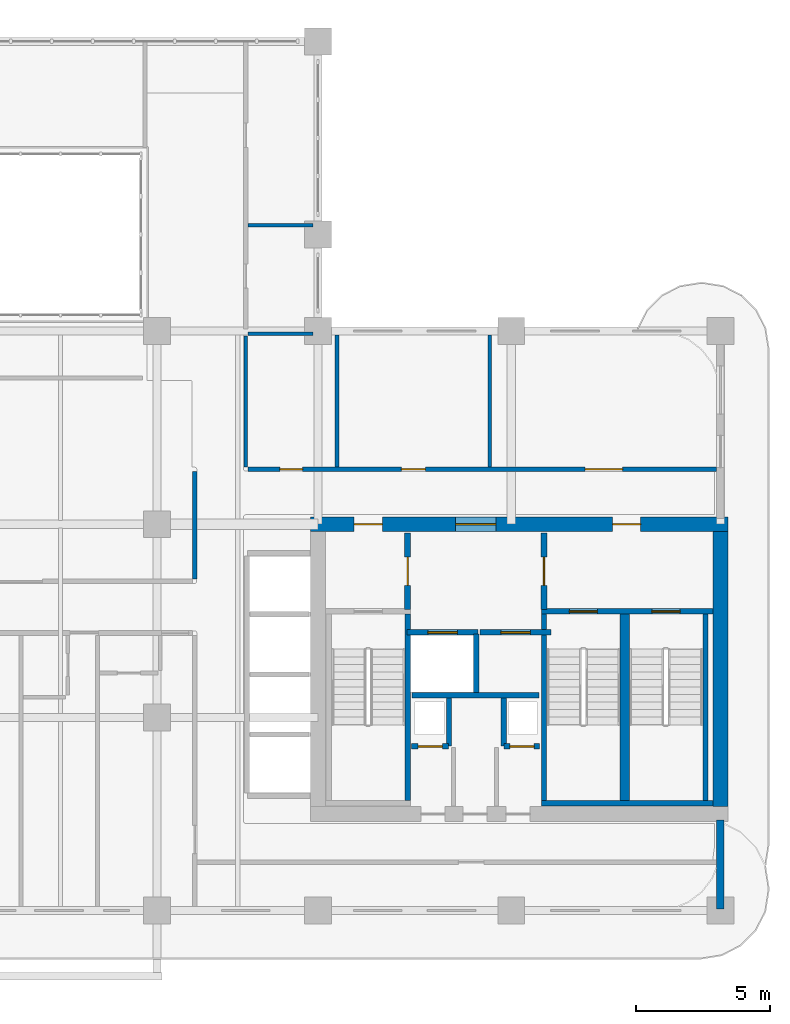
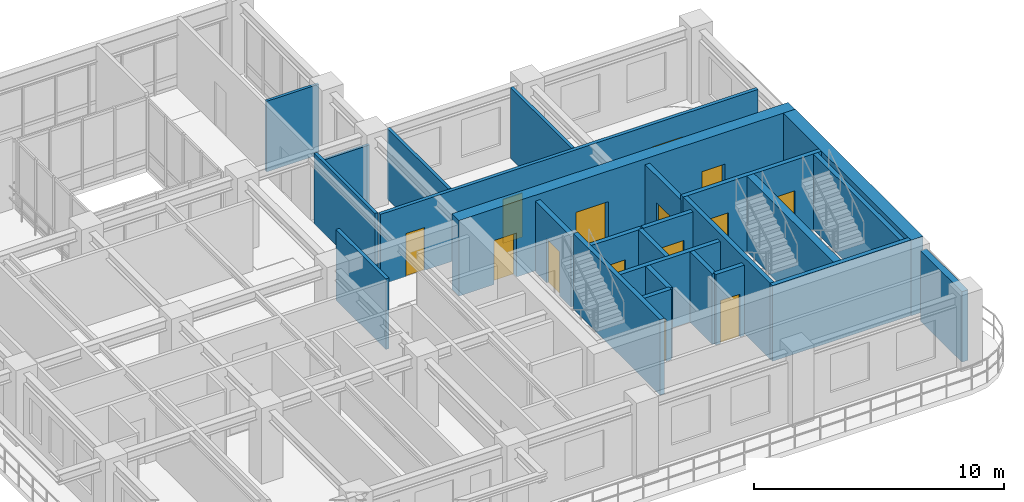
# One storey, part 13 of 20: 26 walls, 14 doors, 14 openings.
"""IFC4 building model written with IfcOpenShell, lengths in metres."""

from ifc_helpers import new_model, si_unit, derived_unit, direction, frame, frame_2d, origin, place, context, subcontext, project, spatial, rectangle, extrude, source, transform, mapped, material, layer, layer_set, type_object, type_shapes, element, fill, save


model = new_model("IFC4")

# Units and contexts
model_context = context("Model", 3, precision=1e-05, world=origin(), true_north=direction((0.0, 1.0)))
body_context = subcontext(model_context, "Body", "Model", "MODEL_VIEW")
ifc_project = project(units=[si_unit("LENGTHUNIT", "METRE"), si_unit("AREAUNIT", "SQUARE_METRE"), si_unit("VOLUMEUNIT", "CUBIC_METRE"), si_unit("PLANEANGLEUNIT", "RADIAN"), si_unit("MASSUNIT", "GRAM", prefix="KILO"), si_unit("THERMODYNAMICTEMPERATUREUNIT", "KELVIN"), si_unit("POWERUNIT", "WATT"), derived_unit("THERMALTRANSMITTANCEUNIT", [(si_unit("POWERUNIT", "WATT"), 1), (si_unit("AREAUNIT", "SQUARE_METRE"), -1), (si_unit("THERMODYNAMICTEMPERATUREUNIT", "KELVIN"), -1)])], contexts=[model_context])

# Site, building, storey
site_placement = place(None, origin())
site = spatial("IfcSite", under=ifc_project, at=site_placement, CompositionType="ELEMENT")
building_placement = place(site_placement, origin())
building = spatial("IfcBuilding", under=site, at=building_placement, Name="Zahravan Archway Hotel and Residences", CompositionType="ELEMENT")
storey_placement = place(building_placement, frame((0.0, 0.0, 126.60009765625)))
storey = spatial("IfcBuildingStorey", under=building, at=storey_placement, Name="L31", CompositionType="ELEMENT", Elevation=126.60009765625)

# Wall, openings, doors
ifc_material_1 = material(Name="Concrete C70/85", Category="concrete")
ifc_layer_1 = layer(ifc_material_1, 0.550048828125, Name="Concrete C70/85", Category="concrete")
ifc_layer_set_1 = layer_set([ifc_layer_1], Name="Concrete C70/85")
wall_type_1 = type_object("IfcWallType", Name="CW-CORE-550", PredefinedType="SHEAR", material=ifc_layer_set_1)
wall_1_placement = place(storey_placement, frame((34.52490234375, 14.39990234375, 0.0), z_axis=(0.0, 0.0, 1.0), x_axis=(1.0, 0.0, 0.0)))
wall_1 = element("IfcWall", 1, at=wall_1_placement, inside=storey, type_object=wall_type_1, Name="L31 Core A Shear N Wall 550 mm", PredefinedType="SHEAR", context=body_context, shape_type="SweptSolid", body=[
    extrude(rectangle(XDim=15.550048828125, YDim=0.550048828125, at=frame_2d((7.77490234375, 0.0))), origin(), (0.0, 0.0, 1.0), 3.699951171875),
])
opening_1_placement = place(wall_1_placement, frame((5.405029296875, 0.0, 0.0)))
opening_1 = element("IfcOpeningElement", 2, at=opening_1_placement, cuts=wall_1, Name="Opening FD-L1", PredefinedType="OPENING", context=body_context, shape_type="SweptSolid", body=[
    extrude(rectangle(XDim=1.5, YDim=2.199951171875, at=frame_2d((0.75, 1.10009765625))), frame((0.0, 0.28515625, 0.0), z_axis=(0.0, -1.0, 0.0), x_axis=(1.0, 0.0, 0.0)), (0.0, 0.0, 1.0), 0.570068359375),
])
opening_2_placement = place(wall_1_placement, frame((1.6201171875, 0.0, 0.0)))
opening_2 = element("IfcOpeningElement", 3, at=opening_2_placement, cuts=wall_1, Name="Opening FD-L2", PredefinedType="OPENING", context=body_context, shape_type="SweptSolid", body=[
    extrude(rectangle(XDim=1.050048828125, YDim=2.14990234375, at=frame_2d((0.52490234375, 1.074951171875))), frame((0.0, 0.28515625, 0.0), z_axis=(0.0, -1.0, 0.0), x_axis=(1.0, 0.0, 0.0)), (0.0, 0.0, 1.0), 0.570068359375),
])
opening_3_placement = place(wall_1_placement, frame((11.25, 0.0, 0.0)))
opening_3 = element("IfcOpeningElement", 4, at=opening_3_placement, cuts=wall_1, Name="Opening FD-L2", PredefinedType="OPENING", context=body_context, shape_type="SweptSolid", body=[
    extrude(rectangle(XDim=1.050048828125, YDim=2.14990234375, at=frame_2d((0.52490234375, 1.074951171875))), frame((0.0, 0.28515625, 0.0), z_axis=(0.0, -1.0, 0.0), x_axis=(1.0, 0.0, 0.0)), (0.0, 0.0, 1.0), 0.570068359375),
])
ifc_material_2 = material(Name="Fire-Rated Painted Steel", Category="steel")
door_type_1 = type_object("IfcDoorType", Name="FD-LOBBY-1100", OperationType="NOTDEFINED", PredefinedType="DOOR", material=ifc_material_2)
shared_shape_1 = source(origin(), body_context, "Body", "SweptSolid", [
    extrude(rectangle(XDim=1.050048828125, YDim=2.14990234375, at=frame_2d((0.52490234375, 1.074951171875))), frame((0.0, 0.02490234375, 0.0), z_axis=(0.0, -1.0, 0.0), x_axis=(1.0, 0.0, 0.0)), (0.0, 0.0, 1.0), 0.050048828125),
])
type_shapes(door_type_1, [shared_shape_1])
door_1_placement = place(opening_2_placement, origin())
door_1 = element("IfcDoor", 5, at=door_1_placement, inside=storey, type_object=door_type_1, Name="L31 Core A West Stair Lobby Door", OperationType="SINGLE_SWING_RIGHT", OverallHeight=2.14990234375, OverallWidth=1.050048828125, PredefinedType="DOOR", context=body_context, shape_type="MappedRepresentation", body=[
    mapped(shared_shape_1, transform((0.0, 0.0, 0.0), scale=1.0)),
])
fill(opening_2, door_1)
door_2_placement = place(opening_3_placement, origin())
door_2 = element("IfcDoor", 6, at=door_2_placement, inside=storey, type_object=door_type_1, Name="L31 Core A East Stair Lobby Door", OperationType="SINGLE_SWING_LEFT", OverallHeight=2.14990234375, OverallWidth=1.050048828125, PredefinedType="DOOR", context=body_context, shape_type="MappedRepresentation", body=[
    mapped(shared_shape_1, transform((0.0, 0.0, 0.0), scale=1.0)),
])
fill(opening_3, door_2)
door_type_2 = type_object("IfcDoorType", Name="FD-LOBBY-1500", OperationType="DOUBLE_DOOR_SINGLE_SWING", PredefinedType="DOOR", material=ifc_material_2)
shared_shape_2 = source(origin(), body_context, "Body", "SweptSolid", [
    extrude(rectangle(XDim=1.5, YDim=2.199951171875, at=frame_2d((0.75, 1.10009765625))), frame((0.0, 0.02490234375, 0.0), z_axis=(0.0, -1.0, 0.0), x_axis=(1.0, 0.0, 0.0)), (0.0, 0.0, 1.0), 0.050048828125),
])
type_shapes(door_type_2, [shared_shape_2])
door_3_placement = place(opening_1_placement, origin())
door_3 = element("IfcDoor", 7, at=door_3_placement, inside=storey, type_object=door_type_2, Name="L31 Core A FSAE Lobby Main Door", OperationType="DOUBLE_DOOR_SINGLE_SWING", OverallHeight=2.199951171875, OverallWidth=1.5, PredefinedType="DOOR", context=body_context, shape_type="MappedRepresentation", body=[
    mapped(shared_shape_2, transform((0.0, 0.0, 0.0), scale=1.0)),
])
fill(opening_1, door_3)

# Walls
wall_2_placement = place(storey_placement, frame((49.800048828125, 3.875, 0.0), z_axis=(0.0, 0.0, 1.0), x_axis=(0.0, 1.0, 0.0)))
element("IfcWall", 8, at=wall_2_placement, inside=storey, type_object=wall_type_1, Name="L31 Core A Shear E Wall 550 mm", PredefinedType="SHEAR", context=body_context, shape_type="SweptSolid", body=[
    extrude(rectangle(XDim=10.25, YDim=0.550048828125, at=frame_2d((5.125, 0.0))), origin(), (0.0, 0.0, 1.0), 3.699951171875),
])
ifc_material_3 = material(Name="Honed Red-Ochre Sandstone & Insulated Block", Category="masonry")
ifc_layer_2 = layer(ifc_material_3, 0.280029296875, Name="Honed Red-Ochre Sandstone & Insulated Block", Category="masonry")
ifc_layer_set_2 = layer_set([ifc_layer_2], Name="Honed Red-Ochre Sandstone & Insulated Block")
wall_type_2 = type_object("IfcWallType", Name="EW-LOG-280", PredefinedType="SOLIDWALL", material=ifc_layer_set_2)
wall_3_placement = place(storey_placement, frame((49.800048828125, 0.050048828125, 0.0), z_axis=(0.0, 0.0, 1.0), x_axis=(0.0, 1.0, 0.0)))
element("IfcWall", 9, at=wall_3_placement, inside=storey, type_object=wall_type_2, Name="L31 Exterior Sandstone Wall WA-ES", PredefinedType="SOLIDWALL", context=body_context, shape_type="SweptSolid", body=[
    extrude(rectangle(XDim=3.329833984375, YDim=0.280029296875, at=frame_2d((1.6650390625, 0.0))), origin(), (0.0, 0.0, 1.0), 3.449951171875),
])

# Wall, opening, door
ifc_material_4 = material(Name="Fire-Rated Gypsum & Concrete Block", Category="concrete")
ifc_layer_3 = layer(ifc_material_4, 0.219970703125, Name="Fire-Rated Gypsum & Concrete Block", Category="concrete")
ifc_layer_set_3 = layer_set([ifc_layer_3], Name="Fire-Rated Gypsum & Concrete Block")
wall_type_3 = type_object("IfcWallType", Name="PW-COMP-220", PredefinedType="PARTITIONING", material=ifc_layer_set_3)
wall_4_placement = place(storey_placement, frame((38.139892578125, 11.219970703125, 0.0), z_axis=(0.0, 0.0, 1.0), x_axis=(0.0, 1.0, 0.0)))
wall_4 = element("IfcWall", 10, at=wall_4_placement, inside=storey, type_object=wall_type_3, Name="L31 Partition CA-LOBW", PredefinedType="PARTITIONING", context=body_context, shape_type="SweptSolid", body=[
    extrude(rectangle(XDim=2.860107421875, YDim=0.219970703125, at=frame_2d((1.43017578125, 0.0))), origin(), (0.0, 0.0, 1.0), 3.449951171875),
])
opening_4_placement = place(wall_4_placement, frame((0.905029296875, 0.0, 0.0)))
opening_4 = element("IfcOpeningElement", 11, at=opening_4_placement, cuts=wall_4, Name="Opening FD-L2", PredefinedType="OPENING", context=body_context, shape_type="SweptSolid", body=[
    extrude(rectangle(XDim=1.050048828125, YDim=2.14990234375, at=frame_2d((0.52490234375, 1.074951171875))), frame((0.0, 0.1201171875, 0.0), z_axis=(0.0, -1.0, 0.0), x_axis=(1.0, 0.0, 0.0)), (0.0, 0.0, 1.0), 0.239990234375),
])
door_4_placement = place(opening_4_placement, origin())
door_4 = element("IfcDoor", 12, at=door_4_placement, inside=storey, type_object=door_type_1, Name="L31 Core A West Stair to FSAE Lobby Door", OperationType="SINGLE_SWING_RIGHT", OverallHeight=2.14990234375, OverallWidth=1.050048828125, PredefinedType="DOOR", context=body_context, shape_type="MappedRepresentation", body=[
    mapped(shared_shape_1, transform((0.0, 0.0, 0.0), scale=1.0)),
])
fill(opening_4, door_4)

wall_5_placement = place(storey_placement, frame((43.219970703125, 11.219970703125, 0.0), z_axis=(0.0, 0.0, 1.0), x_axis=(0.0, 1.0, 0.0)))
wall_5 = element("IfcWall", 13, at=wall_5_placement, inside=storey, type_object=wall_type_3, Name="L31 Partition CA-LOBE", PredefinedType="PARTITIONING", context=body_context, shape_type="SweptSolid", body=[
    extrude(rectangle(XDim=2.860107421875, YDim=0.219970703125, at=frame_2d((1.43017578125, 0.0))), origin(), (0.0, 0.0, 1.0), 3.449951171875),
])
opening_5_placement = place(wall_5_placement, frame((0.905029296875, 0.0, 0.0)))
opening_5 = element("IfcOpeningElement", 14, at=opening_5_placement, cuts=wall_5, Name="Opening FD-L2", PredefinedType="OPENING", context=body_context, shape_type="SweptSolid", body=[
    extrude(rectangle(XDim=1.050048828125, YDim=2.14990234375, at=frame_2d((0.52490234375, 1.074951171875))), frame((0.0, 0.1201171875, 0.0), z_axis=(0.0, -1.0, 0.0), x_axis=(1.0, 0.0, 0.0)), (0.0, 0.0, 1.0), 0.239990234375),
])
door_5_placement = place(opening_5_placement, origin())
door_5 = element("IfcDoor", 15, at=door_5_placement, inside=storey, type_object=door_type_1, Name="L31 Core A East Stair to FSAE Lobby Door", OperationType="SINGLE_SWING_LEFT", OverallHeight=2.14990234375, OverallWidth=1.050048828125, PredefinedType="DOOR", context=body_context, shape_type="MappedRepresentation", body=[
    mapped(shared_shape_1, transform((0.0, 0.0, 0.0), scale=1.0)),
])
fill(opening_5, door_5)

# Wall
ifc_layer_4 = layer(ifc_material_4, 0.159912109375, Name="Fire-Rated Gypsum & Concrete Block", Category="concrete")
ifc_layer_set_4 = layer_set([ifc_layer_4], Name="Fire-Rated Gypsum & Concrete Block")
wall_type_4 = type_object("IfcWallType", Name="PW-CORR-160", PredefinedType="PARTITIONING", material=ifc_layer_set_4)
wall_6_placement = place(storey_placement, frame((30.199951171875, 12.360107421875, 0.0), z_axis=(0.0, 0.0, 1.0), x_axis=(0.0, 1.0, 0.0)))
element("IfcWall", 16, at=wall_6_placement, inside=storey, type_object=wall_type_4, Name="L31 Partition WA-FW", PredefinedType="PARTITIONING", context=body_context, shape_type="SweptSolid", body=[
    extrude(rectangle(XDim=4.0, YDim=0.159912109375, at=frame_2d((2.0, 0.0))), origin(), (0.0, 0.0, 1.0), 3.449951171875),
])

# Wall, openings, doors
wall_7_placement = place(storey_placement, frame((32.18994140625, 16.449951171875, 0.0), z_axis=(0.0, 0.0, 1.0), x_axis=(1.0, 0.0, 0.0)))
wall_7 = element("IfcWall", 17, at=wall_7_placement, inside=storey, type_object=wall_type_4, Name="L31 Partition WA-FN", PredefinedType="PARTITIONING", context=body_context, shape_type="SweptSolid", body=[
    extrude(rectangle(XDim=17.469970703125, YDim=0.159912109375, at=frame_2d((8.73486328125, 0.0))), origin(), (0.0, 0.0, 1.0), 3.449951171875),
])
opening_6_placement = place(wall_7_placement, frame((1.18505859375, 0.0, 0.0)))
opening_6 = element("IfcOpeningElement", 18, at=opening_6_placement, cuts=wall_7, Name="Opening D-B1", PredefinedType="OPENING", context=body_context, shape_type="SweptSolid", body=[
    extrude(rectangle(XDim=0.85009765625, YDim=2.10009765625, at=frame_2d((0.425048828125, 1.050048828125))), frame((0.0, 0.08984375, 0.0), z_axis=(0.0, -1.0, 0.0), x_axis=(1.0, 0.0, 0.0)), (0.0, 0.0, 1.0), 0.179931640625),
])
opening_7_placement = place(wall_7_placement, frame((5.7099609375, 0.0, 0.0)))
opening_7 = element("IfcOpeningElement", 19, at=opening_7_placement, cuts=wall_7, Name="Opening D-I2", PredefinedType="OPENING", context=body_context, shape_type="SweptSolid", body=[
    extrude(rectangle(XDim=0.89990234375, YDim=2.14990234375, at=frame_2d((0.449951171875, 1.074951171875))), frame((0.0, 0.08984375, 0.0), z_axis=(0.0, -1.0, 0.0), x_axis=(1.0, 0.0, 0.0)), (0.0, 0.0, 1.0), 0.179931640625),
])
opening_8_placement = place(wall_7_placement, frame((12.56005859375, 0.0, 0.0)))
opening_8 = element("IfcOpeningElement", 20, at=opening_8_placement, cuts=wall_7, Name="Opening D-P1", PredefinedType="OPENING", context=body_context, shape_type="SweptSolid", body=[
    extrude(rectangle(XDim=1.39990234375, YDim=2.35009765625, at=frame_2d((0.699951171875, 1.175048828125))), frame((0.0, 0.08984375, 0.0), z_axis=(0.0, -1.0, 0.0), x_axis=(1.0, 0.0, 0.0)), (0.0, 0.0, 1.0), 0.179931640625),
])
ifc_material_5 = material(Name="Hardwood Veneer Timber", Category="wood")
door_type_3 = type_object("IfcDoorType", Name="ID-BATH-850", OperationType="NOTDEFINED", PredefinedType="DOOR", material=ifc_material_5)
shared_shape_3 = source(origin(), body_context, "Body", "SweptSolid", [
    extrude(rectangle(XDim=0.85009765625, YDim=2.10009765625, at=frame_2d((0.425048828125, 1.050048828125))), frame((0.0, 0.02490234375, 0.0), z_axis=(0.0, -1.0, 0.0), x_axis=(1.0, 0.0, 0.0)), (0.0, 0.0, 1.0), 0.050048828125),
])
type_shapes(door_type_3, [shared_shape_3])
door_6_placement = place(opening_6_placement, origin())
door_6 = element("IfcDoor", 21, at=door_6_placement, inside=storey, type_object=door_type_3, Name="L31 Accessible Floor Restroom Door", OperationType="SINGLE_SWING_RIGHT", OverallHeight=2.10009765625, OverallWidth=0.85009765625, PredefinedType="DOOR", context=body_context, shape_type="MappedRepresentation", body=[
    mapped(shared_shape_3, transform((0.0, 0.0, 0.0), scale=1.0)),
])
fill(opening_6, door_6)
ifc_material_6 = material(Name="Bronze-Anodized Glazed Aluminium", Category="aluminium")
door_type_4 = type_object("IfcDoorType", Name="ID-PUBLIC-1400", OperationType="DOUBLE_DOOR_SINGLE_SWING", PredefinedType="DOOR", material=ifc_material_6)
shared_shape_4 = source(origin(), body_context, "Body", "SweptSolid", [
    extrude(rectangle(XDim=1.39990234375, YDim=2.35009765625, at=frame_2d((0.699951171875, 1.175048828125))), frame((0.0, 0.02490234375, 0.0), z_axis=(0.0, -1.0, 0.0), x_axis=(1.0, 0.0, 0.0)), (0.0, 0.0, 1.0), 0.050048828125),
])
type_shapes(door_type_4, [shared_shape_4])
door_7_placement = place(opening_8_placement, origin())
door_7 = element("IfcDoor", 22, at=door_7_placement, inside=storey, type_object=door_type_4, Name="L31 Co-Working Room Door", OperationType="DOUBLE_DOOR_SINGLE_SWING", OverallHeight=2.35009765625, OverallWidth=1.39990234375, PredefinedType="DOOR", context=body_context, shape_type="MappedRepresentation", body=[
    mapped(shared_shape_4, transform((0.0, 0.0, 0.0), scale=1.0)),
])
fill(opening_8, door_7)
door_type_5 = type_object("IfcDoorType", Name="ID-INT-900", OperationType="NOTDEFINED", PredefinedType="DOOR", material=ifc_material_5)
shared_shape_5 = source(origin(), body_context, "Body", "SweptSolid", [
    extrude(rectangle(XDim=0.89990234375, YDim=2.14990234375, at=frame_2d((0.449951171875, 1.074951171875))), frame((0.0, 0.02490234375, 0.0), z_axis=(0.0, -1.0, 0.0), x_axis=(1.0, 0.0, 0.0)), (0.0, 0.0, 1.0), 0.050048828125),
])
type_shapes(door_type_5, [shared_shape_5])
door_8_placement = place(opening_7_placement, origin())
door_8 = element("IfcDoor", 23, at=door_8_placement, inside=storey, type_object=door_type_5, Name="L31 Tea Servery Door", OperationType="SINGLE_SWING_LEFT", OverallHeight=2.14990234375, OverallWidth=0.89990234375, PredefinedType="DOOR", context=body_context, shape_type="MappedRepresentation", body=[
    mapped(shared_shape_5, transform((0.0, 0.0, 0.0), scale=1.0)),
])
fill(opening_7, door_8)

# Walls
ifc_material_7 = material(Name="Acoustic Stud Partition")
ifc_layer_5 = layer(ifc_material_7, 0.125, Name="Acoustic Stud Partition")
ifc_layer_set_5 = layer_set([ifc_layer_5], Name="Acoustic Stud Partition")
wall_type_5 = type_object("IfcWallType", Name="PW-INT-125", PredefinedType="PARTITIONING", material=ifc_layer_set_5)
wall_8_placement = place(storey_placement, frame((32.18994140625, 25.550048828125, 0.0), z_axis=(0.0, 0.0, 1.0), x_axis=(1.0, 0.0, 0.0)))
element("IfcWall", 24, at=wall_8_placement, inside=storey, type_object=wall_type_5, Name="L31 Partition ATR-EM1", PredefinedType="PARTITIONING", context=body_context, shape_type="SweptSolid", body=[
    extrude(rectangle(XDim=2.420166015625, YDim=0.125, at=frame_2d((1.2099609375, 0.0))), origin(), (0.0, 0.0, 1.0), 3.449951171875),
])
ifc_layer_6 = layer(ifc_material_4, 0.199951171875, Name="Fire-Rated Gypsum & Concrete Block", Category="concrete")
ifc_layer_set_6 = layer_set([ifc_layer_6], Name="Fire-Rated Gypsum & Concrete Block")
wall_type_6 = type_object("IfcWallType", Name="PW-SHAFT-200", PredefinedType="PARTITIONING", material=ifc_layer_set_6)
wall_9_placement = place(storey_placement, frame((38.300048828125, 8.030029296875, 0.0), z_axis=(0.0, 0.0, 1.0), x_axis=(1.0, 0.0, 0.0)))
element("IfcWall", 25, at=wall_9_placement, inside=storey, type_object=wall_type_6, Name="L31 Partition CA-FLS", PredefinedType="PARTITIONING", context=body_context, shape_type="SweptSolid", body=[
    extrude(rectangle(XDim=4.739990234375, YDim=0.199951171875, at=frame_2d((2.3701171875, 0.0))), origin(), (0.0, 0.0, 1.0), 3.449951171875),
])
wall_10_placement = place(storey_placement, frame((40.699951171875, 8.1201171875, 0.0), z_axis=(0.0, 0.0, 1.0), x_axis=(0.0, 1.0, 0.0)))
element("IfcWall", 26, at=wall_10_placement, inside=storey, type_object=wall_type_6, Name="L31 Partition CA-FLM", PredefinedType="PARTITIONING", context=body_context, shape_type="SweptSolid", body=[
    extrude(rectangle(XDim=2.179931640625, YDim=0.199951171875, at=frame_2d((1.08984375, 0.0))), origin(), (0.0, 0.0, 1.0), 3.449951171875),
])

# Wall, opening, door
wall_11_placement = place(storey_placement, frame((38.2900390625, 6.1201171875, 0.0), z_axis=(0.0, 0.0, 1.0), x_axis=(1.0, 0.0, 0.0)))
wall_11 = element("IfcWall", 27, at=wall_11_placement, inside=storey, type_object=wall_type_6, Name="L31 Partition CA-SMKS", PredefinedType="PARTITIONING", context=body_context, shape_type="SweptSolid", body=[
    extrude(rectangle(XDim=1.3798828125, YDim=0.199951171875, at=frame_2d((0.68994140625, 0.0))), origin(), (0.0, 0.0, 1.0), 3.449951171875),
])
opening_9_placement = place(wall_11_placement, frame((0.239990234375, 0.0, 0.0)))
opening_9 = element("IfcOpeningElement", 28, at=opening_9_placement, cuts=wall_11, Name="Opening FD-R1", PredefinedType="OPENING", context=body_context, shape_type="SweptSolid", body=[
    extrude(rectangle(XDim=0.89990234375, YDim=2.10009765625, at=frame_2d((0.449951171875, 1.050048828125))), frame((0.0, 0.10986328125, 0.0), z_axis=(0.0, -1.0, 0.0), x_axis=(1.0, 0.0, 0.0)), (0.0, 0.0, 1.0), 0.219970703125),
])
door_type_6 = type_object("IfcDoorType", Name="FD-RISER-900", OperationType="NOTDEFINED", PredefinedType="DOOR", material=ifc_material_2)
shared_shape_6 = source(origin(), body_context, "Body", "SweptSolid", [
    extrude(rectangle(XDim=0.89990234375, YDim=2.10009765625, at=frame_2d((0.449951171875, 1.050048828125))), frame((0.0, 0.02490234375, 0.0), z_axis=(0.0, -1.0, 0.0), x_axis=(1.0, 0.0, 0.0)), (0.0, 0.0, 1.0), 0.050048828125),
])
type_shapes(door_type_6, [shared_shape_6])
door_9_placement = place(opening_9_placement, origin())
door_9 = element("IfcDoor", 29, at=door_9_placement, inside=storey, type_object=door_type_6, Name="L31 Smoke Riser Access Door", OperationType="SINGLE_SWING_RIGHT", OverallHeight=2.10009765625, OverallWidth=0.89990234375, PredefinedType="DOOR", context=body_context, shape_type="MappedRepresentation", body=[
    mapped(shared_shape_6, transform((0.0, 0.0, 0.0), scale=1.0)),
])
fill(opening_9, door_9)

# Wall
wall_12_placement = place(storey_placement, frame((39.679931640625, 6.1298828125, 0.0), z_axis=(0.0, 0.0, 1.0), x_axis=(0.0, 1.0, 0.0)))
element("IfcWall", 30, at=wall_12_placement, inside=storey, type_object=wall_type_6, Name="L31 Partition CA-SMKE", PredefinedType="PARTITIONING", context=body_context, shape_type="SweptSolid", body=[
    extrude(rectangle(XDim=1.7900390625, YDim=0.199951171875, at=frame_2d((0.89501953125, 0.0))), origin(), (0.0, 0.0, 1.0), 3.449951171875),
])

# Wall, opening, door
wall_13_placement = place(storey_placement, frame((41.72998046875, 6.1201171875, 0.0), z_axis=(0.0, 0.0, 1.0), x_axis=(1.0, 0.0, 0.0)))
wall_13 = element("IfcWall", 31, at=wall_13_placement, inside=storey, type_object=wall_type_6, Name="L31 Partition CA-MEPS", PredefinedType="PARTITIONING", context=body_context, shape_type="SweptSolid", body=[
    extrude(rectangle(XDim=1.320068359375, YDim=0.199951171875, at=frame_2d((0.66015625, 0.0))), origin(), (0.0, 0.0, 1.0), 3.449951171875),
])
opening_10_placement = place(wall_13_placement, frame((0.219970703125, 0.0, 0.0)))
opening_10 = element("IfcOpeningElement", 32, at=opening_10_placement, cuts=wall_13, Name="Opening FD-R1", PredefinedType="OPENING", context=body_context, shape_type="SweptSolid", body=[
    extrude(rectangle(XDim=0.89990234375, YDim=2.10009765625, at=frame_2d((0.449951171875, 1.050048828125))), frame((0.0, 0.10986328125, 0.0), z_axis=(0.0, -1.0, 0.0), x_axis=(1.0, 0.0, 0.0)), (0.0, 0.0, 1.0), 0.219970703125),
])
door_10_placement = place(opening_10_placement, origin())
door_10 = element("IfcDoor", 33, at=door_10_placement, inside=storey, type_object=door_type_6, Name="L31 MEP Riser Access Door", OperationType="SINGLE_SWING_LEFT", OverallHeight=2.10009765625, OverallWidth=0.89990234375, PredefinedType="DOOR", context=body_context, shape_type="MappedRepresentation", body=[
    mapped(shared_shape_6, transform((0.0, 0.0, 0.0), scale=1.0)),
])
fill(opening_10, door_10)

# Wall
wall_14_placement = place(storey_placement, frame((41.719970703125, 6.1298828125, 0.0), z_axis=(0.0, 0.0, 1.0), x_axis=(0.0, 1.0, 0.0)))
element("IfcWall", 34, at=wall_14_placement, inside=storey, type_object=wall_type_6, Name="L31 Partition CA-MEPW", PredefinedType="PARTITIONING", context=body_context, shape_type="SweptSolid", body=[
    extrude(rectangle(XDim=1.7900390625, YDim=0.199951171875, at=frame_2d((0.89501953125, 0.0))), origin(), (0.0, 0.0, 1.0), 3.449951171875),
])

# Wall, opening, door
wall_15_placement = place(storey_placement, frame((38.1201171875, 10.3701171875, 0.0), z_axis=(0.0, 0.0, 1.0), x_axis=(1.0, 0.0, 0.0)))
wall_15 = element("IfcWall", 35, at=wall_15_placement, inside=storey, type_object=wall_type_6, Name="L31 Lift FL-1 Front Wall", PredefinedType="PARTITIONING", context=body_context, shape_type="SweptSolid", body=[
    extrude(rectangle(XDim=2.639892578125, YDim=0.199951171875, at=frame_2d((1.31982421875, 0.0))), origin(), (0.0, 0.0, 1.0), 3.449951171875),
])
opening_11_placement = place(wall_15_placement, frame((0.77001953125, 0.0, 0.0)))
opening_11 = element("IfcOpeningElement", 36, at=opening_11_placement, cuts=wall_15, Name="Opening LD", PredefinedType="OPENING", context=body_context, shape_type="SweptSolid", body=[
    extrude(rectangle(XDim=1.10009765625, YDim=2.199951171875, at=frame_2d((0.550048828125, 1.10009765625))), frame((0.0, 0.10986328125, 0.0), z_axis=(0.0, -1.0, 0.0), x_axis=(1.0, 0.0, 0.0)), (0.0, 0.0, 1.0), 0.219970703125),
])
ifc_material_8 = material(Name="Brushed Stainless Steel", Category="steel")
door_type_7 = type_object("IfcDoorType", Name="DR-LIFT-LD", OperationType="SLIDING_TO_LEFT", PredefinedType="DOOR", material=ifc_material_8)
shared_shape_7 = source(origin(), body_context, "Body", "SweptSolid", [
    extrude(rectangle(XDim=1.10009765625, YDim=2.199951171875, at=frame_2d((0.550048828125, 1.10009765625))), frame((0.0, 0.02490234375, 0.0), z_axis=(0.0, -1.0, 0.0), x_axis=(1.0, 0.0, 0.0)), (0.0, 0.0, 1.0), 0.050048828125),
])
type_shapes(door_type_7, [shared_shape_7])
door_11_placement = place(opening_11_placement, origin())
door_11 = element("IfcDoor", 37, at=door_11_placement, inside=storey, type_object=door_type_7, Name="L31 Lift FL-1 Sliding Landing Door", OperationType="SLIDING_TO_LEFT", OverallHeight=2.199951171875, OverallWidth=1.10009765625, PredefinedType="DOOR", context=body_context, shape_type="MappedRepresentation", body=[
    mapped(shared_shape_7, transform((0.0, 0.0, 0.0), scale=1.0)),
])
fill(opening_11, door_11)

wall_16_placement = place(storey_placement, frame((40.840087890625, 10.3701171875, 0.0), z_axis=(0.0, 0.0, 1.0), x_axis=(1.0, 0.0, 0.0)))
wall_16 = element("IfcWall", 38, at=wall_16_placement, inside=storey, type_object=wall_type_6, Name="L31 Lift FL-2 Front Wall", PredefinedType="PARTITIONING", context=body_context, shape_type="SweptSolid", body=[
    extrude(rectangle(XDim=2.639892578125, YDim=0.199951171875, at=frame_2d((1.31982421875, 0.0))), origin(), (0.0, 0.0, 1.0), 3.449951171875),
])
opening_12_placement = place(wall_16_placement, frame((0.77001953125, 0.0, 0.0)))
opening_12 = element("IfcOpeningElement", 39, at=opening_12_placement, cuts=wall_16, Name="Opening LD", PredefinedType="OPENING", context=body_context, shape_type="SweptSolid", body=[
    extrude(rectangle(XDim=1.10009765625, YDim=2.199951171875, at=frame_2d((0.550048828125, 1.10009765625))), frame((0.0, 0.10986328125, 0.0), z_axis=(0.0, -1.0, 0.0), x_axis=(1.0, 0.0, 0.0)), (0.0, 0.0, 1.0), 0.219970703125),
])
door_12_placement = place(opening_12_placement, origin())
door_12 = element("IfcDoor", 40, at=door_12_placement, inside=storey, type_object=door_type_7, Name="L31 Lift FL-2 Sliding Landing Door", OperationType="SLIDING_TO_LEFT", OverallHeight=2.199951171875, OverallWidth=1.10009765625, PredefinedType="DOOR", context=body_context, shape_type="MappedRepresentation", body=[
    mapped(shared_shape_7, transform((0.0, 0.0, 0.0), scale=1.0)),
])
fill(opening_12, door_12)

# Walls
ifc_material_9 = material(Name="Moisture-Resistant Blockwork", Category="masonry")
ifc_layer_7 = layer(ifc_material_9, 0.139892578125, Name="Moisture-Resistant Blockwork", Category="masonry")
ifc_layer_set_7 = layer_set([ifc_layer_7], Name="Moisture-Resistant Blockwork")
wall_type_7 = type_object("IfcWallType", Name="PW-WET-140", PredefinedType="PARTITIONING", material=ifc_layer_set_7)
wall_17_placement = place(storey_placement, frame((32.10009765625, 16.5400390625, 0.0), z_axis=(0.0, 0.0, 1.0), x_axis=(0.0, 1.0, 0.0)))
element("IfcWall", 41, at=wall_17_placement, inside=storey, type_object=wall_type_7, Name="L31 Partition NE-W0", PredefinedType="PARTITIONING", context=body_context, shape_type="SweptSolid", body=[
    extrude(rectangle(XDim=4.869873046875, YDim=0.139892578125, at=frame_2d((2.43505859375, 0.0))), origin(), (0.0, 0.0, 1.0), 3.449951171875),
])
for number, where, z_axis, x_axis, name in (
    (42, (35.5, 16.5400390625, 0.0), (0.0, 0.0, 1.0), (0.0, 1.0, 0.0), "L31 Partition NE0-1"),
    (43, (41.199951171875, 16.5400390625, 0.0), (0.0, 0.0, 1.0), (0.0, 1.0, 0.0), "L31 Partition NE0-2"),
):
    element("IfcWall", number, at=place(storey_placement, frame(where, z_axis=z_axis, x_axis=x_axis)), inside=storey, type_object=wall_type_7, Name=name, PredefinedType="PARTITIONING", context=body_context, shape_type="SweptSolid", body=[
        extrude(rectangle(XDim=4.911865234375, YDim=0.139892578125, at=frame_2d((2.4560546875, 0.0))), origin(), (0.0, 0.0, 1.0), 3.449951171875),
    ])
wall_18_placement = place(storey_placement, frame((32.18994140625, 21.5, 0.0), z_axis=(0.0, 0.0, 1.0), x_axis=(1.0, 0.0, 0.0)))
element("IfcWall", 44, at=wall_18_placement, inside=storey, type_object=wall_type_7, Name="L31 Partition ATR-ES", PredefinedType="PARTITIONING", context=body_context, shape_type="SweptSolid", body=[
    extrude(rectangle(XDim=2.420166015625, YDim=0.139892578125, at=frame_2d((1.2099609375, 0.0))), origin(), (0.0, 0.0, 1.0), 2.934814453125),
])
ifc_material_10 = material(Name="Concrete C50/60", Category="concrete")
ifc_layer_8 = layer(ifc_material_10, 0.199951171875, Name="Concrete C50/60", Category="concrete")
ifc_layer_set_8 = layer_set([ifc_layer_8], Name="Concrete C50/60")
wall_type_8 = type_object("IfcWallType", Name="SW-STAIR-200", PredefinedType="SHEAR", material=ifc_layer_set_8)
wall_19_placement = place(storey_placement, frame((38.139892578125, 4.10009765625, 0.0), z_axis=(0.0, 0.0, 1.0), x_axis=(0.0, 1.0, 0.0)))
element("IfcWall", 45, at=wall_19_placement, inside=storey, type_object=wall_type_8, Name="L31 Stairwell RC Wall CA-SA1E", PredefinedType="SHEAR", context=body_context, shape_type="SweptSolid", body=[
    extrude(rectangle(XDim=6.949951171875, YDim=0.199951171875, at=frame_2d((3.47509765625, 0.0))), origin(), (0.0, 0.0, 1.0), 3.699951171875),
])
wall_20_placement = place(storey_placement, frame((43.1201171875, 4.0, 0.0), z_axis=(0.0, 0.0, 1.0), x_axis=(1.0, 0.0, 0.0)))
element("IfcWall", 46, at=wall_20_placement, inside=storey, type_object=wall_type_8, Name="L31 Stairwell RC Wall CA-SA23S", PredefinedType="SHEAR", context=body_context, shape_type="SweptSolid", body=[
    extrude(rectangle(XDim=6.40478515625, YDim=0.199951171875, at=frame_2d((3.202392578125, 0.0))), origin(), (0.0, 0.0, 1.0), 3.699951171875),
])
for number, where, z_axis, x_axis, name in (
    (47, (43.219970703125, 4.10009765625, 0.0), (0.0, 0.0, 1.0), (0.0, 1.0, 0.0), "L31 Stairwell RC Wall CA-SA2W"),
    (48, (49.239990234375, 4.10009765625, 0.0), (0.0, 0.0, 1.0), (0.0, 1.0, 0.0), "L31 Stairwell RC Wall CA-SA3E"),
):
    element("IfcWall", number, at=place(storey_placement, frame(where, z_axis=z_axis, x_axis=x_axis)), inside=storey, type_object=wall_type_8, Name=name, PredefinedType="SHEAR", context=body_context, shape_type="SweptSolid", body=[
        extrude(rectangle(XDim=6.949951171875, YDim=0.199951171875, at=frame_2d((3.47509765625, 0.0))), origin(), (0.0, 0.0, 1.0), 3.699951171875),
    ])

# Wall, openings, doors
wall_21_placement = place(storey_placement, frame((43.1201171875, 11.14990234375, 0.0), z_axis=(0.0, 0.0, 1.0), x_axis=(1.0, 0.0, 0.0)))
wall_21 = element("IfcWall", 49, at=wall_21_placement, inside=storey, type_object=wall_type_8, Name="L31 Stairwell RC Wall CA-SA23N", PredefinedType="SHEAR", context=body_context, shape_type="SweptSolid", body=[
    extrude(rectangle(XDim=6.40478515625, YDim=0.199951171875, at=frame_2d((3.202392578125, 0.0))), origin(), (0.0, 0.0, 1.0), 3.699951171875),
])
opening_13_placement = place(wall_21_placement, frame((1.044921875, 0.0, 0.0)))
opening_13 = element("IfcOpeningElement", 50, at=opening_13_placement, cuts=wall_21, Name="Opening FD-S1", PredefinedType="OPENING", context=body_context, shape_type="SweptSolid", body=[
    extrude(rectangle(XDim=1.050048828125, YDim=2.199951171875, at=frame_2d((0.52490234375, 1.10009765625))), frame((0.0, 0.10986328125, 0.0), z_axis=(0.0, -1.0, 0.0), x_axis=(1.0, 0.0, 0.0)), (0.0, 0.0, 1.0), 0.219970703125),
])
opening_14_placement = place(wall_21_placement, frame((4.125, 0.0, 0.0)))
opening_14 = element("IfcOpeningElement", 51, at=opening_14_placement, cuts=wall_21, Name="Opening FD-S1", PredefinedType="OPENING", context=body_context, shape_type="SweptSolid", body=[
    extrude(rectangle(XDim=1.050048828125, YDim=2.199951171875, at=frame_2d((0.52490234375, 1.10009765625))), frame((0.0, 0.10986328125, 0.0), z_axis=(0.0, -1.0, 0.0), x_axis=(1.0, 0.0, 0.0)), (0.0, 0.0, 1.0), 0.219970703125),
])
door_type_8 = type_object("IfcDoorType", Name="FD-STAIR-1100", OperationType="NOTDEFINED", PredefinedType="DOOR", material=ifc_material_2)
shared_shape_8 = source(origin(), body_context, "Body", "SweptSolid", [
    extrude(rectangle(XDim=1.050048828125, YDim=2.199951171875, at=frame_2d((0.52490234375, 1.10009765625))), frame((0.0, 0.02490234375, 0.0), z_axis=(0.0, -1.0, 0.0), x_axis=(1.0, 0.0, 0.0)), (0.0, 0.0, 1.0), 0.050048828125),
])
type_shapes(door_type_8, [shared_shape_8])
door_13_placement = place(opening_13_placement, origin())
door_13 = element("IfcDoor", 52, at=door_13_placement, inside=storey, type_object=door_type_8, Name="L31 Stair ST-A2 Door", OperationType="SINGLE_SWING_RIGHT", OverallHeight=2.199951171875, OverallWidth=1.050048828125, PredefinedType="DOOR", context=body_context, shape_type="MappedRepresentation", body=[
    mapped(shared_shape_8, transform((0.0, 0.0, 0.0), scale=1.0)),
])
fill(opening_13, door_13)
door_14_placement = place(opening_14_placement, origin())
door_14 = element("IfcDoor", 53, at=door_14_placement, inside=storey, type_object=door_type_8, Name="L31 Stair ST-A3 Door", OperationType="SINGLE_SWING_LEFT", OverallHeight=2.199951171875, OverallWidth=1.050048828125, PredefinedType="DOOR", context=body_context, shape_type="MappedRepresentation", body=[
    mapped(shared_shape_8, transform((0.0, 0.0, 0.0), scale=1.0)),
])
fill(opening_14, door_14)

# Wall
ifc_layer_9 = layer(ifc_material_10, 0.340087890625, Name="Concrete C50/60", Category="concrete")
ifc_layer_set_9 = layer_set([ifc_layer_9], Name="Concrete C50/60")
wall_type_9 = type_object("IfcWallType", Name="SW-STAIR-340", PredefinedType="SHEAR", material=ifc_layer_set_9)
wall_22_placement = place(storey_placement, frame((46.22998046875, 4.10009765625, 0.0), z_axis=(0.0, 0.0, 1.0), x_axis=(0.0, 1.0, 0.0)))
element("IfcWall", 54, at=wall_22_placement, inside=storey, type_object=wall_type_9, Name="L31 Stairwell RC Wall CA-SA23M", PredefinedType="SHEAR", context=body_context, shape_type="SweptSolid", body=[
    extrude(rectangle(XDim=6.949951171875, YDim=0.340087890625, at=frame_2d((3.47509765625, 0.0))), origin(), (0.0, 0.0, 1.0), 3.699951171875),
])

save(model, "model.ifc")
